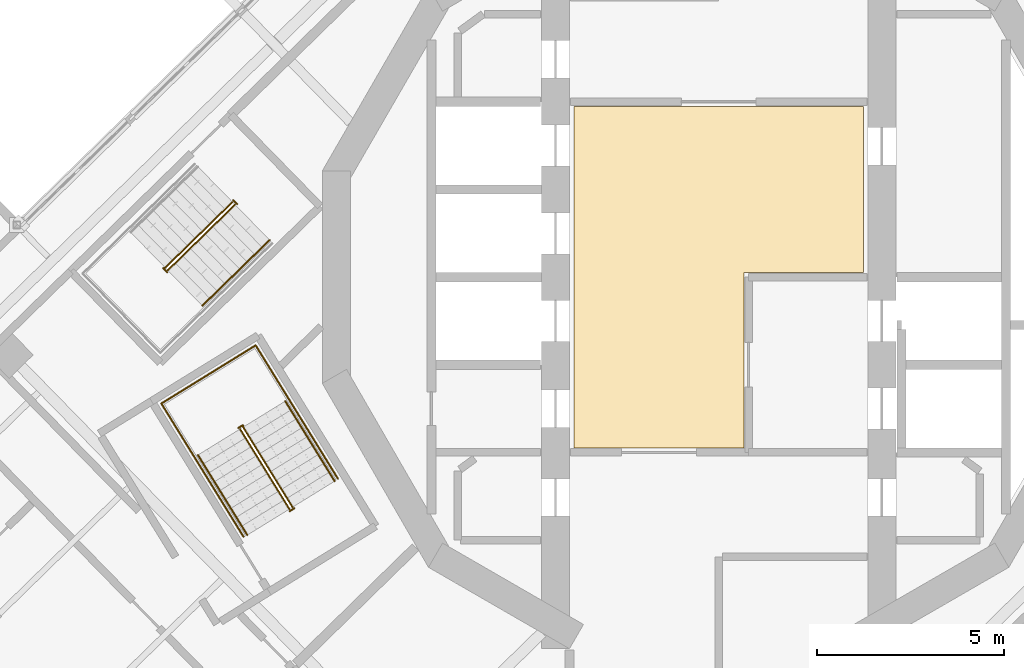
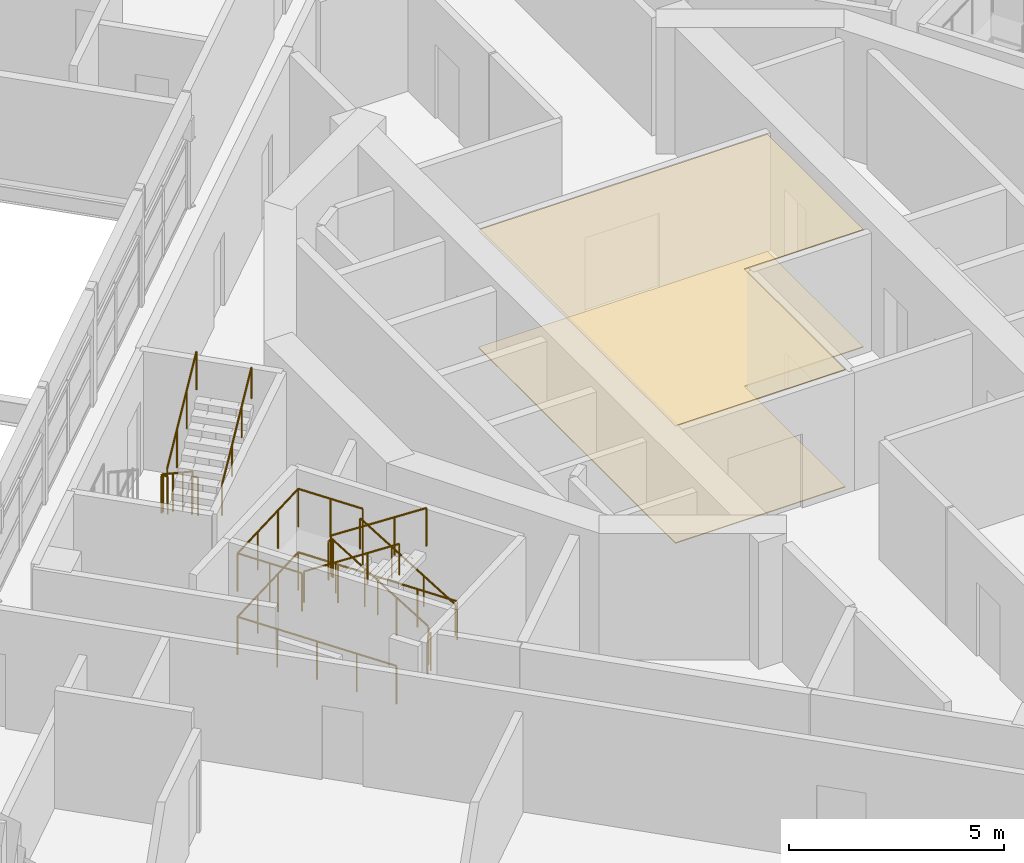
# One storey, part 17 of 21: 11 railings, 2 coverings.
"""IFC4 building model written with IfcOpenShell, lengths in metres."""

from ifc_helpers import new_model, si_unit, direction, frame, origin, origin_2d, place, context, subcontext, project, spatial, polyline, circle, outline, extrude, material, layer, layer_set, type_object, element, save


model = new_model("IFC4")

# Units and contexts
model_context = context("Model", 3, precision=1e-05, world=origin(), true_north=direction((0.0, 1.0)))
body_context = subcontext(model_context, "Body", "Model", "MODEL_VIEW")
ifc_project = project(units=[si_unit("LENGTHUNIT", "METRE"), si_unit("AREAUNIT", "SQUARE_METRE"), si_unit("VOLUMEUNIT", "CUBIC_METRE"), si_unit("PLANEANGLEUNIT", "RADIAN"), si_unit("MASSUNIT", "GRAM", prefix="KILO")], contexts=[model_context])

# Site, building, storey
site_placement = place(None, origin())
site = spatial("IfcSite", under=ifc_project, at=site_placement, CompositionType="ELEMENT")
building_placement = place(site_placement, origin())
building = spatial("IfcBuilding", under=site, at=building_placement, Name="Cantera Rosa Tower", CompositionType="ELEMENT")
storey_placement = place(building_placement, frame((0.0, 0.0, 234.199951171875)))
storey = spatial("IfcBuildingStorey", under=building, at=storey_placement, Name="L51", CompositionType="ELEMENT", Elevation=234.199951171875)

# Railings
ifc_material_1 = material(Name="Steel S355J2 (EN 10025-2)", Category="steel")
railing_type_1 = type_object("IfcRailingType", Name="STAIR GUARD 1100", PredefinedType="GUARDRAIL", material=ifc_material_1)
railing_1_placement = place(storey_placement, frame((-13.032958984375, 2.013427734375, 0.179931640625)))
element("IfcRailing", 1, at=railing_1_placement, inside=storey, type_object=railing_type_1, Name="L51 ST-43 stair guard 1", PredefinedType="GUARDRAIL", context=body_context, shape_type="SweptSolid", body=[
    extrude(circle(Radius=0.02392578125, at=origin_2d()), frame((0.0, 0.0, 1.076171875), z_axis=(-0.601672219931, -0.587818193466, 0.54079599776), x_axis=(0.698823692472, -0.715293958342, 0.0)), (0.0, 0.0, 1.0), 2.995849609375),
    extrude(circle(Radius=0.02392578125, at=origin_2d()), frame((-1.802490234375, -1.760986328125, 2.6962890625), z_axis=(-0.956987977523, -0.290127576896, 0.0), x_axis=(0.290127576896, -0.956987977523, 0.0)), (0.0, 0.0, 1.0), 0.056396484375),
    extrude(circle(Radius=0.02392578125, at=origin_2d()), frame((-1.8564453125, -1.77734375, 2.6962890625), z_axis=(0.698932947801, -0.715187202401, 0.0), x_axis=(0.715187202401, 0.698932947801, 0.0)), (0.0, 0.0, 1.0), 0.150146484375),
    extrude(circle(Radius=0.02099609375, at=origin_2d()), origin(), (0.0, 0.0, 1.0), 1.052001953125),
    extrude(circle(Radius=0.02099609375, at=origin_2d()), frame((-0.600830078125, -0.5869140625, 0.5400390625)), (0.0, 0.0, 1.0), 1.052001953125),
    extrude(circle(Radius=0.02099609375, at=origin_2d()), frame((-1.20166015625, -1.174072265625, 1.080078125)), (0.0, 0.0, 1.0), 1.052001953125),
    extrude(circle(Radius=0.02099609375, at=origin_2d()), frame((-1.802490234375, -1.760986328125, 1.6201171875)), (0.0, 0.0, 1.0), 1.052001953125),
    extrude(circle(Radius=0.02099609375, at=origin_2d()), frame((-1.8564453125, -1.77734375, 1.6201171875)), (0.0, 0.0, 1.0), 1.052001953125),
    extrude(circle(Radius=0.02099609375, at=origin_2d()), frame((-1.75146484375, -1.884765625, 1.6201171875)), (0.0, 0.0, 1.0), 1.052001953125),
])
railing_2_placement = place(storey_placement, frame((-14.766845703125, 0.182373046875, 1.97998046875)))
element("IfcRailing", 2, at=railing_2_placement, inside=storey, type_object=railing_type_1, Name="L51 ST-43 stair guard 2", PredefinedType="GUARDRAIL", context=body_context, shape_type="SweptSolid", body=[
    extrude(circle(Radius=0.02392578125, at=origin_2d()), frame((0.0, 0.0, 1.076171875), z_axis=(0.601672219931, 0.587818193466, 0.54079599776), x_axis=(-0.698823692472, 0.715293958342, 0.0)), (0.0, 0.0, 1.0), 2.995849609375),
    extrude(circle(Radius=0.02099609375, at=origin_2d()), origin(), (0.0, 0.0, 1.0), 1.052001953125),
    extrude(circle(Radius=0.02099609375, at=origin_2d()), frame((0.600830078125, 0.5869140625, 0.5400390625)), (0.0, 0.0, 1.0), 1.052001953125),
    extrude(circle(Radius=0.02099609375, at=origin_2d()), frame((1.20166015625, 1.174072265625, 1.080078125)), (0.0, 0.0, 1.0), 1.052001953125),
    extrude(circle(Radius=0.02099609375, at=origin_2d()), frame((1.802490234375, 1.760986328125, 1.6201171875)), (0.0, 0.0, 1.0), 1.052001953125),
])
railing_3_placement = place(storey_placement, frame((-13.01513671875, 2.06689453125, 0.0)))
element("IfcRailing", 3, at=railing_3_placement, inside=storey, type_object=railing_type_1, Name="L51 ST-43 stair guard 3", PredefinedType="GUARDRAIL", context=body_context, shape_type="SweptSolid", body=[
    extrude(circle(Radius=0.02392578125, at=origin_2d()), frame((0.0, 0.0, 1.076171875), z_axis=(0.698914008722, -0.715205710557, 0.0), x_axis=(0.715205710557, 0.698914008722, 0.0)), (0.0, 0.0, 1.0), 0.14990234375),
    extrude(circle(Radius=0.02099609375, at=origin_2d()), origin(), (0.0, 0.0, 1.0), 1.052001953125),
    extrude(circle(Radius=0.02099609375, at=origin_2d()), frame((0.104736328125, -0.107177734375, 0.0)), (0.0, 0.0, 1.0), 1.052001953125),
])
railing_4_placement = place(storey_placement, frame((-11.42333984375, -6.165771484375, 0.179931640625)))
element("IfcRailing", 4, at=railing_4_placement, inside=storey, type_object=railing_type_1, Name="L51 ST-44 stair guard 1", PredefinedType="GUARDRAIL", context=body_context, shape_type="SweptSolid", body=[
    extrude(circle(Radius=0.02392578125, at=origin_2d()), frame((0.0, 0.0, 1.076171875), z_axis=(-0.441609067481, 0.715913574058, 0.540785711718), x_axis=(-0.851102330005, -0.524999832248, 0.0)), (0.0, 0.0, 1.0), 2.995849609375),
    extrude(circle(Radius=0.02392578125, at=origin_2d()), frame((-1.322998046875, 2.144775390625, 2.6962890625), z_axis=(-0.073711968402, 0.997279572494, 0.0), x_axis=(-0.997279572494, -0.073711968402, 0.0)), (0.0, 0.0, 1.0), 0.056396484375),
    extrude(circle(Radius=0.02392578125, at=origin_2d()), frame((-1.3271484375, 2.200927734375, 2.6962890625), z_axis=(-0.851546489876, -0.524279100842, 0.0), x_axis=(0.524279100842, -0.851546489876, 0.0)), (0.0, 0.0, 1.0), 0.14990234375),
    extrude(circle(Radius=0.02099609375, at=origin_2d()), origin(), (0.0, 0.0, 1.0), 1.052001953125),
    extrude(circle(Radius=0.02099609375, at=origin_2d()), frame((-0.44091796875, 0.71484375, 0.5400390625)), (0.0, 0.0, 1.0), 1.052001953125),
    extrude(circle(Radius=0.02099609375, at=origin_2d()), frame((-0.882080078125, 1.429931640625, 1.080078125)), (0.0, 0.0, 1.0), 1.052001953125),
    extrude(circle(Radius=0.02099609375, at=origin_2d()), frame((-1.322998046875, 2.144775390625, 1.6201171875)), (0.0, 0.0, 1.0), 1.052001953125),
    extrude(circle(Radius=0.02099609375, at=origin_2d()), frame((-1.3271484375, 2.200927734375, 1.6201171875)), (0.0, 0.0, 1.0), 1.052001953125),
    extrude(circle(Radius=0.02099609375, at=origin_2d()), frame((-1.454833984375, 2.122314453125, 1.6201171875)), (0.0, 0.0, 1.0), 1.052001953125),
])
railing_5_placement = place(storey_placement, frame((-12.82958984375, -4.072509765625, 1.97998046875)))
element("IfcRailing", 5, at=railing_5_placement, inside=storey, type_object=railing_type_1, Name="L51 ST-44 stair guard 2", PredefinedType="GUARDRAIL", context=body_context, shape_type="SweptSolid", body=[
    extrude(circle(Radius=0.02392578125, at=origin_2d()), frame((0.0, 0.0, 1.076171875), z_axis=(0.44154346381, -0.715939337315, 0.540805172729), x_axis=(0.851145618652, 0.524929648476, 0.0)), (0.0, 0.0, 1.0), 2.995849609375),
    extrude(circle(Radius=0.02099609375, at=origin_2d()), origin(), (0.0, 0.0, 1.0), 1.052001953125),
    extrude(circle(Radius=0.02099609375, at=origin_2d()), frame((0.44091796875, -0.71484375, 0.5400390625)), (0.0, 0.0, 1.0), 1.052001953125),
    extrude(circle(Radius=0.02099609375, at=origin_2d()), frame((0.8818359375, -1.429931640625, 1.080078125)), (0.0, 0.0, 1.0), 1.052001953125),
    extrude(circle(Radius=0.02099609375, at=origin_2d()), frame((1.32275390625, -2.144775390625, 1.6201171875)), (0.0, 0.0, 1.0), 1.052001953125),
])
railing_6_placement = place(storey_placement, frame((-11.375, -6.19482421875, 0.0)))
element("IfcRailing", 6, at=railing_6_placement, inside=storey, type_object=railing_type_1, Name="L51 ST-44 stair guard 3", PredefinedType="GUARDRAIL", context=body_context, shape_type="SweptSolid", body=[
    extrude(circle(Radius=0.02392578125, at=origin_2d()), frame((0.0, 0.0, 1.076171875), z_axis=(-0.851546489876, -0.524279100842, 0.0), x_axis=(0.524279100842, -0.851546489876, 0.0)), (0.0, 0.0, 1.0), 0.14990234375),
    extrude(circle(Radius=0.02099609375, at=origin_2d()), origin(), (0.0, 0.0, 1.0), 1.052001953125),
    extrude(circle(Radius=0.02099609375, at=origin_2d()), frame((-0.127685546875, -0.07861328125, 0.0)), (0.0, 0.0, 1.0), 1.052001953125),
])
railing_7_placement = place(storey_placement, frame((-10.20751953125, -5.40185546875, 0.0)))
element("IfcRailing", 7, at=railing_7_placement, inside=storey, type_object=railing_type_1, Name="L51 ST-44 stair guard 4", PredefinedType="GUARDRAIL", context=body_context, shape_type="SweptSolid", body=[
    extrude(circle(Radius=0.02392578125, at=origin_2d()), frame((0.0, 0.0, 1.076171875), z_axis=(-0.524976478809, 0.851116735059, 0.0), x_axis=(-0.851116735059, -0.524976478809, 0.0)), (0.0, 0.0, 1.0), 4.197998046875),
    extrude(circle(Radius=0.02392578125, at=origin_2d()), frame((-2.203857421875, 3.572998046875, 1.076171875), z_axis=(-0.851132917336, -0.524950242429, 0.0), x_axis=(0.524950242429, -0.851132917336, 0.0)), (0.0, 0.0, 1.0), 2.969970703125),
    extrude(circle(Radius=0.02392578125, at=origin_2d()), frame((-4.731689453125, 2.013916015625, 1.076171875), z_axis=(0.524976478809, -0.851116735059, 0.0), x_axis=(0.851116735059, 0.524976478809, 0.0)), (0.0, 0.0, 1.0), 4.197998046875),
    extrude(circle(Radius=0.02099609375, at=origin_2d()), origin(), (0.0, 0.0, 1.0), 1.052001953125),
    extrude(circle(Radius=0.02099609375, at=origin_2d()), frame((-0.551025390625, 0.893310546875, 0.0)), (0.0, 0.0, 1.0), 1.052001953125),
    extrude(circle(Radius=0.02099609375, at=origin_2d()), frame((-1.10205078125, 1.78662109375, 0.0)), (0.0, 0.0, 1.0), 1.052001953125),
    extrude(circle(Radius=0.02099609375, at=origin_2d()), frame((-1.65283203125, 2.6796875, 0.0)), (0.0, 0.0, 1.0), 1.052001953125),
    extrude(circle(Radius=0.02099609375, at=origin_2d()), frame((-2.203857421875, 3.572998046875, 0.0)), (0.0, 0.0, 1.0), 1.052001953125),
    extrude(circle(Radius=0.02099609375, at=origin_2d()), frame((-3.04638671875, 3.05322265625, 0.0)), (0.0, 0.0, 1.0), 1.052001953125),
    extrude(circle(Radius=0.02099609375, at=origin_2d()), frame((-3.88916015625, 2.53369140625, 0.0)), (0.0, 0.0, 1.0), 1.052001953125),
    extrude(circle(Radius=0.02099609375, at=origin_2d()), frame((-4.731689453125, 2.013916015625, 0.0)), (0.0, 0.0, 1.0), 1.052001953125),
    extrude(circle(Radius=0.02099609375, at=origin_2d()), frame((-4.1806640625, 1.12060546875, 0.0)), (0.0, 0.0, 1.0), 1.052001953125),
    extrude(circle(Radius=0.02099609375, at=origin_2d()), frame((-3.6298828125, 0.2275390625, 0.0)), (0.0, 0.0, 1.0), 1.052001953125),
    extrude(circle(Radius=0.02099609375, at=origin_2d()), frame((-3.078857421875, -0.665771484375, 0.0)), (0.0, 0.0, 1.0), 1.052001953125),
    extrude(circle(Radius=0.02099609375, at=origin_2d()), frame((-2.52783203125, -1.55908203125, 0.0)), (0.0, 0.0, 1.0), 1.052001953125),
])
railing_8_placement = place(storey_placement, frame((-11.517822265625, -3.27734375, 1.800048828125)))
element("IfcRailing", 8, at=railing_8_placement, inside=storey, type_object=railing_type_1, Name="L51 ST-44 stair guard 5", PredefinedType="GUARDRAIL", context=body_context, shape_type="SweptSolid", body=[
    extrude(circle(Radius=0.02392578125, at=origin_2d()), frame((0.0, 0.0, 1.076171875), z_axis=(-0.525025534833, 0.851086474909, 0.0), x_axis=(-0.851086474909, -0.525025534833, 0.0)), (0.0, 0.0, 1.0), 1.701904296875),
    extrude(circle(Radius=0.02392578125, at=origin_2d()), frame((-0.8935546875, 1.448486328125, 1.076171875), z_axis=(-0.851132917336, -0.524950242429, 0.0), x_axis=(0.524950242429, -0.851132917336, 0.0)), (0.0, 0.0, 1.0), 2.969970703125),
    extrude(circle(Radius=0.02392578125, at=origin_2d()), frame((-3.42138671875, -0.110595703125, 1.076171875), z_axis=(0.524961441845, -0.851126009811, 0.0), x_axis=(0.851126009811, 0.524961441845, 0.0)), (0.0, 0.0, 1.0), 1.7021484375),
    extrude(circle(Radius=0.02099609375, at=origin_2d()), origin(), (0.0, 0.0, 1.0), 1.052001953125),
    extrude(circle(Radius=0.02099609375, at=origin_2d()), frame((-0.44677734375, 0.72412109375, 0.0)), (0.0, 0.0, 1.0), 1.052001953125),
    extrude(circle(Radius=0.02099609375, at=origin_2d()), frame((-0.8935546875, 1.448486328125, 0.0)), (0.0, 0.0, 1.0), 1.052001953125),
    extrude(circle(Radius=0.02099609375, at=origin_2d()), frame((-1.736083984375, 0.9287109375, 0.0)), (0.0, 0.0, 1.0), 1.052001953125),
    extrude(circle(Radius=0.02099609375, at=origin_2d()), frame((-2.578857421875, 0.4091796875, 0.0)), (0.0, 0.0, 1.0), 1.052001953125),
    extrude(circle(Radius=0.02099609375, at=origin_2d()), frame((-3.42138671875, -0.110595703125, 0.0)), (0.0, 0.0, 1.0), 1.052001953125),
    extrude(circle(Radius=0.02099609375, at=origin_2d()), frame((-2.974609375, -0.8349609375, 0.0)), (0.0, 0.0, 1.0), 1.052001953125),
    extrude(circle(Radius=0.02099609375, at=origin_2d()), frame((-2.52783203125, -1.559326171875, 0.0)), (0.0, 0.0, 1.0), 1.052001953125),
])
ifc_material_2 = material(Name="Steel S355J2 (EN 10025-2)", Category="steel")
railing_type_2 = type_object("IfcRailingType", Name="STAIR HANDRAIL 900", PredefinedType="HANDRAIL", material=ifc_material_2)
railing_9_placement = place(storey_placement, frame((-13.84033203125, -0.76611328125, 1.97998046875)))
element("IfcRailing", 9, at=railing_9_placement, inside=storey, type_object=railing_type_2, Name="L51 ST-43 stair handrail 2", PredefinedType="HANDRAIL", context=body_context, shape_type="SweptSolid", body=[
    extrude(circle(Radius=0.02392578125, at=origin_2d()), frame((0.0, 0.0, 0.8759765625), z_axis=(0.601724208683, 0.587789371239, 0.540769481151), x_axis=(-0.698775265409, 0.715341267126, 0.0)), (0.0, 0.0, 1.0), 2.995849609375),
    extrude(circle(Radius=0.02099609375, at=origin_2d()), origin(), (0.0, 0.0, 1.0), 0.851806640625),
    extrude(circle(Radius=0.02099609375, at=origin_2d()), frame((0.600830078125, 0.5869140625, 0.5400390625)), (0.0, 0.0, 1.0), 0.851806640625),
    extrude(circle(Radius=0.02099609375, at=origin_2d()), frame((1.201904296875, 1.174072265625, 1.080078125)), (0.0, 0.0, 1.0), 0.851806640625),
    extrude(circle(Radius=0.02099609375, at=origin_2d()), frame((1.802734375, 1.760986328125, 1.6201171875)), (0.0, 0.0, 1.0), 0.851806640625),
])
railing_10_placement = place(storey_placement, frame((-10.294677734375, -5.4697265625, 0.179931640625)))
element("IfcRailing", 10, at=railing_10_placement, inside=storey, type_object=railing_type_2, Name="L51 ST-44 stair handrail 1", PredefinedType="HANDRAIL", context=body_context, shape_type="SweptSolid", body=[
    extrude(circle(Radius=0.02392578125, at=origin_2d()), frame((0.0, 0.0, 0.8759765625), z_axis=(-0.441609067481, 0.715913574058, 0.540785711718), x_axis=(-0.851102330005, -0.524999832248, 0.0)), (0.0, 0.0, 1.0), 2.995849609375),
    extrude(circle(Radius=0.02099609375, at=origin_2d()), origin(), (0.0, 0.0, 1.0), 0.851806640625),
    extrude(circle(Radius=0.02099609375, at=origin_2d()), frame((-0.44091796875, 0.71484375, 0.5400390625)), (0.0, 0.0, 1.0), 0.851806640625),
    extrude(circle(Radius=0.02099609375, at=origin_2d()), frame((-0.882080078125, 1.429931640625, 1.080078125)), (0.0, 0.0, 1.0), 0.851806640625),
    extrude(circle(Radius=0.02099609375, at=origin_2d()), frame((-1.322998046875, 2.144775390625, 1.6201171875)), (0.0, 0.0, 1.0), 0.851806640625),
])
railing_11_placement = place(storey_placement, frame((-13.958251953125, -4.7685546875, 1.97998046875)))
element("IfcRailing", 11, at=railing_11_placement, inside=storey, type_object=railing_type_2, Name="L51 ST-44 stair handrail 2", PredefinedType="HANDRAIL", context=body_context, shape_type="SweptSolid", body=[
    extrude(circle(Radius=0.02392578125, at=origin_2d()), frame((0.0, 0.0, 0.8759765625), z_axis=(0.441609067481, -0.715913574058, 0.540785711718), x_axis=(0.851102330005, 0.524999832248, 0.0)), (0.0, 0.0, 1.0), 2.995849609375),
    extrude(circle(Radius=0.02099609375, at=origin_2d()), origin(), (0.0, 0.0, 1.0), 0.851806640625),
    extrude(circle(Radius=0.02099609375, at=origin_2d()), frame((0.44091796875, -0.71484375, 0.5400390625)), (0.0, 0.0, 1.0), 0.851806640625),
    extrude(circle(Radius=0.02099609375, at=origin_2d()), frame((0.882080078125, -1.429931640625, 1.080078125)), (0.0, 0.0, 1.0), 0.851806640625),
    extrude(circle(Radius=0.02099609375, at=origin_2d()), frame((1.322998046875, -2.144775390625, 1.6201171875)), (0.0, 0.0, 1.0), 0.851806640625),
])

# Coverings
ifc_material_3 = material(Name="Limestone paving", Category="masonry")
ifc_layer_1 = layer(ifc_material_3, 0.02490234375)
ifc_layer_set_1 = layer_set([ifc_layer_1], Name="STONE FLOOR FINISH 25")
covering_type_1 = type_object("IfcCoveringType", Name="STONE FLOOR FINISH 25", PredefinedType="FLOORING", material=ifc_layer_set_1)
covering_1_placement = place(storey_placement, origin())
element("IfcCovering", 12, at=covering_1_placement, inside=storey, type_object=covering_type_1, Name="STONE FLOOR FINISH L51", PredefinedType="FLOORING", context=body_context, shape_type="SweptSolid", body=[
    extrude(outline(polyline([(3.8798828125, 4.580078125), (3.8798828125, 0.1201171875), (0.679931640625, 0.1201171875), (0.679931640625, -4.580078125), (-3.8798828125, -4.580078125), (-3.8798828125, 4.580078125), (3.8798828125, 4.580078125)])), origin(), (0.0, 0.0, 1.0), 0.025146484375),
])
ifc_material_4 = material(Name="Gypsum ceiling tile")
ifc_layer_2 = layer(ifc_material_4, 0.030029296875)
ifc_layer_set_2 = layer_set([ifc_layer_2], Name="SUSPENDED CEILING 30")
covering_type_2 = type_object("IfcCoveringType", Name="SUSPENDED CEILING 30", PredefinedType="CEILING", material=ifc_layer_set_2)
covering_2_placement = place(storey_placement, frame((0.0, 0.0, 3.320068359375)))
element("IfcCovering", 13, at=covering_2_placement, inside=storey, type_object=covering_type_2, Name="SUSPENDED CEILING L51", PredefinedType="CEILING", context=body_context, shape_type="SweptSolid", body=[
    extrude(outline(polyline([(3.8798828125, 4.580078125), (3.8798828125, 0.1201171875), (0.679931640625, 0.1201171875), (0.679931640625, -4.580078125), (-3.8798828125, -4.580078125), (-3.8798828125, 4.580078125), (3.8798828125, 4.580078125)])), origin(), (0.0, 0.0, 1.0), 0.030029296875),
])

save(model, "model.ifc")
